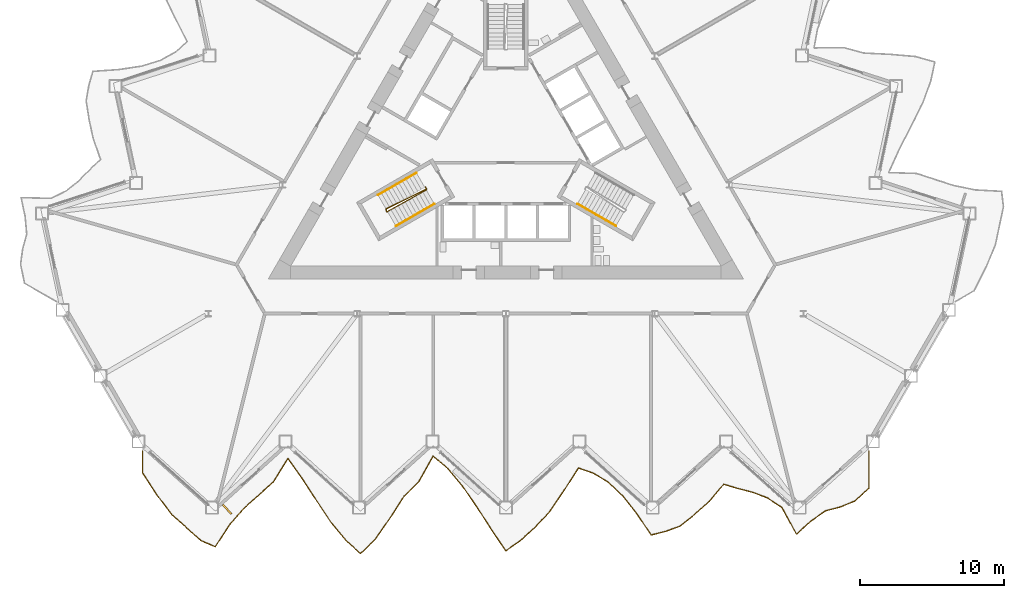
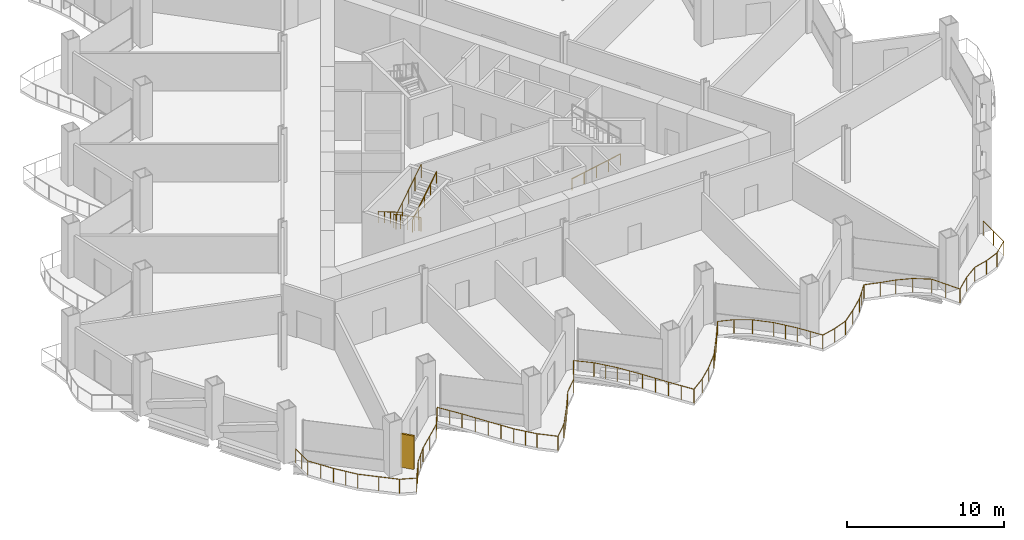
# One storey, part 17 of 21: 5 railings, 1 shading device.
"""IFC4 building model written with IfcOpenShell, lengths in metres."""

from ifc_helpers import new_model, si_unit, direction, frame, origin, origin_2d, place, context, subcontext, project, spatial, rectangle, circle, extrude, material, layer, layer_set, type_object, element, save


model = new_model("IFC4")

# Units and contexts
model_context = context("Model", 3, precision=1e-05, world=origin(), true_north=direction((0.0, 1.0)))
body_context = subcontext(model_context, "Body", "Model", "MODEL_VIEW")
ifc_project = project(units=[si_unit("LENGTHUNIT", "METRE"), si_unit("AREAUNIT", "SQUARE_METRE"), si_unit("VOLUMEUNIT", "CUBIC_METRE"), si_unit("PLANEANGLEUNIT", "RADIAN"), si_unit("MASSUNIT", "GRAM", prefix="KILO")], contexts=[model_context])

# Site, building, storey
site_placement = place(None, origin())
site = spatial("IfcSite", under=ifc_project, at=site_placement, CompositionType="ELEMENT")
building_placement = place(site_placement, origin())
building = spatial("IfcBuilding", under=site, at=building_placement, Name="Cormorant Prow Tower", CompositionType="ELEMENT")
storey_placement = place(building_placement, frame((0.0, 0.0, 124.800048828125)))
storey = spatial("IfcBuildingStorey", under=building, at=storey_placement, Name="L26", CompositionType="ELEMENT", Elevation=124.800048828125)

# Railings
ifc_material_1 = material(Name="Aluminium 6063-T6", Category="aluminium")
railing_type_1 = type_object("IfcRailingType", Name="Balcony guard 1100", PredefinedType="GUARDRAIL", material=ifc_material_1)
railing_1_placement = place(storey_placement, frame((-25.217041015625, -21.475830078125, 0.0)))
element("IfcRailing", 1, at=railing_1_placement, inside=storey, type_object=railing_type_1, Name="Balcony guard S", PredefinedType="GUARDRAIL", context=body_context, shape_type="SweptSolid", body=[
    extrude(circle(Radius=0.02392578125, at=origin_2d()), frame((0.0, 0.0, 1.076171875), z_axis=(0.0, -1.0, 0.0), x_axis=(1.0, 0.0, 0.0)), (0.0, 0.0, 1.0), 1.52001953125),
    extrude(circle(Radius=0.02392578125, at=origin_2d()), frame((0.0, -1.52001953125, 1.076171875), z_axis=(0.547099523328, -0.837067566911, 0.0), x_axis=(0.837067566911, 0.547099523328, 0.0)), (0.0, 0.0, 1.0), 1.843994140625),
    extrude(circle(Radius=0.02392578125, at=origin_2d()), frame((1.0087890625, -3.0634765625, 1.076171875), z_axis=(0.606251011859, -0.79527335591, 0.0), x_axis=(0.79527335591, 0.606251011859, 0.0)), (0.0, 0.0, 1.0), 1.66357421875),
    extrude(circle(Radius=0.02392578125, at=origin_2d()), frame((2.017333984375, -4.386474609375, 1.076171875), z_axis=(0.743186816138, -0.669083968063, 0.0), x_axis=(0.669083968063, 0.743186816138, 0.0)), (0.0, 0.0, 1.0), 1.357421875),
    extrude(circle(Radius=0.02392578125, at=origin_2d()), frame((3.026123046875, -5.294677734375, 1.076171875), z_axis=(0.743186816138, -0.669083968063, 0.0), x_axis=(0.669083968063, 0.743186816138, 0.0)), (0.0, 0.0, 1.0), 1.357421875),
    extrude(circle(Radius=0.02392578125, at=origin_2d()), frame((4.034912109375, -6.202880859375, 1.076171875), z_axis=(0.919340604259, -0.393462645444, 0.0), x_axis=(0.393462645444, 0.919340604259, 0.0)), (0.0, 0.0, 1.0), 1.096923828125),
    extrude(circle(Radius=0.02392578125, at=origin_2d()), frame((5.04345703125, -6.634521484375, 1.076171875), z_axis=(0.544923452511, 0.838485796483, 0.0), x_axis=(-0.838485796483, 0.544923452511, 0.0)), (0.0, 0.0, 1.0), 1.851318359375),
    extrude(circle(Radius=0.02392578125, at=origin_2d()), frame((6.05224609375, -5.082275390625, 1.076171875), z_axis=(0.663436281366, 0.748232785012, 0.0), x_axis=(-0.748232785012, 0.663436281366, 0.0)), (0.0, 0.0, 1.0), 1.520263671875),
    extrude(circle(Radius=0.02392578125, at=origin_2d()), frame((7.060791015625, -3.94482421875, 1.076171875), z_axis=(0.743186816138, 0.669083968063, 0.0), x_axis=(-0.669083968063, 0.743186816138, 0.0)), (0.0, 0.0, 1.0), 1.357421875),
    extrude(circle(Radius=0.02392578125, at=origin_2d()), frame((8.069580078125, -3.03662109375, 1.076171875), z_axis=(0.743106280888, 0.669173411983, 0.0), x_axis=(-0.669173411983, 0.743106280888, 0.0)), (0.0, 0.0, 1.0), 1.357177734375),
    extrude(circle(Radius=0.02392578125, at=origin_2d()), frame((9.078125, -2.12841796875, 1.076171875), z_axis=(0.526912034983, 0.849919824095, 0.0), x_axis=(-0.849919824095, 0.526912034983, 0.0)), (0.0, 0.0, 1.0), 1.91455078125),
    extrude(circle(Radius=0.02392578125, at=origin_2d()), frame((10.0869140625, -0.501220703125, 1.076171875), z_axis=(0.579803401982, -0.81475641455, 0.0), x_axis=(0.81475641455, 0.579803401982, 0.0)), (0.0, 0.0, 1.0), 1.739501953125),
    extrude(circle(Radius=0.02392578125, at=origin_2d()), frame((11.095458984375, -1.91845703125, 1.076171875), z_axis=(0.543240375594, -0.839577211651, 0.0), x_axis=(0.839577211651, 0.543240375594, 0.0)), (0.0, 0.0, 1.0), 1.85693359375),
    extrude(circle(Radius=0.02392578125, at=origin_2d()), frame((12.104248046875, -3.4775390625, 1.076171875), z_axis=(0.553031216413, -0.833160532955, 0.0), x_axis=(0.833160532955, 0.553031216413, 0.0)), (0.0, 0.0, 1.0), 1.82421875),
    extrude(circle(Radius=0.02392578125, at=origin_2d()), frame((13.113037109375, -4.997314453125, 1.076171875), z_axis=(0.64164991368, -0.766997645547, 0.0), x_axis=(0.766997645547, 0.64164991368, 0.0)), (0.0, 0.0, 1.0), 1.57177734375),
    extrude(circle(Radius=0.02392578125, at=origin_2d()), frame((14.12158203125, -6.202880859375, 1.076171875), z_axis=(0.743106280888, -0.669173411983, 0.0), x_axis=(0.669173411983, 0.743106280888, 0.0)), (0.0, 0.0, 1.0), 1.357177734375),
    extrude(circle(Radius=0.02392578125, at=origin_2d()), frame((15.130126953125, -7.111083984375, 1.076171875), z_axis=(0.716667354688, 0.697415158083, 0.0), x_axis=(-0.697415158083, 0.716667354688, 0.0)), (0.0, 0.0, 1.0), 1.40771484375),
    extrude(circle(Radius=0.02392578125, at=origin_2d()), frame((16.138916015625, -6.12939453125, 1.076171875), z_axis=(0.573713918438, 0.8190557611, 0.0), x_axis=(-0.8190557611, 0.573713918438, 0.0)), (0.0, 0.0, 1.0), 1.75830078125),
    extrude(circle(Radius=0.02392578125, at=origin_2d()), frame((17.147705078125, -4.689208984375, 1.076171875), z_axis=(0.542070080475, 0.840333283795, 0.0), x_axis=(-0.840333283795, 0.542070080475, 0.0)), (0.0, 0.0, 1.0), 1.860595703125),
    extrude(circle(Radius=0.02392578125, at=origin_2d()), frame((18.15625, -3.125732421875, 1.076171875), z_axis=(0.7111396923, 0.703050736459, 0.0), x_axis=(-0.703050736459, 0.7111396923, 0.0)), (0.0, 0.0, 1.0), 1.41845703125),
    extrude(circle(Radius=0.02392578125, at=origin_2d()), frame((19.1650390625, -2.12841796875, 1.076171875), z_axis=(0.491124609661, 0.871089328247, 0.0), x_axis=(-0.871089328247, 0.491124609661, 0.0)), (0.0, 0.0, 1.0), 2.053466796875),
    extrude(circle(Radius=0.02392578125, at=origin_2d()), frame((20.173583984375, -0.339599609375, 1.076171875), z_axis=(0.759866377248, -0.650079294185, 0.0), x_axis=(0.650079294185, 0.759866377248, 0.0)), (0.0, 0.0, 1.0), 1.32763671875),
    extrude(circle(Radius=0.02392578125, at=origin_2d()), frame((21.182373046875, -1.20263671875, 1.076171875), z_axis=(0.642506249311, -0.766280444483, 0.0), x_axis=(0.766280444483, 0.642506249311, 0.0)), (0.0, 0.0, 1.0), 1.570068359375),
    extrude(circle(Radius=0.02392578125, at=origin_2d()), frame((22.191162109375, -2.40576171875, 1.076171875), z_axis=(0.568051035315, -0.822993330032, 0.0), x_axis=(0.822993330032, 0.568051035315, 0.0)), (0.0, 0.0, 1.0), 1.775390625),
    extrude(circle(Radius=0.02392578125, at=origin_2d()), frame((23.19970703125, -3.866943359375, 1.076171875), z_axis=(0.54141320539, -0.840756647925, 0.0), x_axis=(0.840756647925, 0.54141320539, 0.0)), (0.0, 0.0, 1.0), 1.86279296875),
    extrude(circle(Radius=0.02392578125, at=origin_2d()), frame((24.208251953125, -5.43310546875, 1.076171875), z_axis=(0.561076309813, -0.827764081467, 0.0), x_axis=(0.827764081467, 0.561076309813, 0.0)), (0.0, 0.0, 1.0), 1.7978515625),
    extrude(circle(Radius=0.02392578125, at=origin_2d()), frame((25.217041015625, -6.92138671875, 1.076171875), z_axis=(0.814518561771, 0.580137494505, 0.0), x_axis=(-0.580137494505, 0.814518561771, 0.0)), (0.0, 0.0, 1.0), 1.238525390625),
    extrude(circle(Radius=0.02392578125, at=origin_2d()), frame((26.225830078125, -6.202880859375, 1.076171875), z_axis=(0.743106280888, 0.669173411983, 0.0), x_axis=(-0.669173411983, 0.743106280888, 0.0)), (0.0, 0.0, 1.0), 1.357177734375),
    extrude(circle(Radius=0.02392578125, at=origin_2d()), frame((27.234375, -5.294677734375, 1.076171875), z_axis=(0.683891565229, 0.729583666901, 0.0), x_axis=(-0.729583666901, 0.683891565229, 0.0)), (0.0, 0.0, 1.0), 1.474609375),
    extrude(circle(Radius=0.02392578125, at=origin_2d()), frame((28.242919921875, -4.21875, 1.076171875), z_axis=(0.563099997149, 0.826388766387, 0.0), x_axis=(-0.826388766387, 0.563099997149, 0.0)), (0.0, 0.0, 1.0), 1.79150390625),
    extrude(circle(Radius=0.02392578125, at=origin_2d()), frame((29.251708984375, -2.73828125, 1.076171875), z_axis=(0.54138653911, 0.84077381933, 0.0), x_axis=(-0.84077381933, 0.54138653911, 0.0)), (0.0, 0.0, 1.0), 1.86328125),
    extrude(circle(Radius=0.02392578125, at=origin_2d()), frame((30.260498046875, -1.171630859375, 1.076171875), z_axis=(0.945688798562, -0.325073370602, 0.0), x_axis=(0.325073370602, 0.945688798562, 0.0)), (0.0, 0.0, 1.0), 1.06640625),
    extrude(circle(Radius=0.02392578125, at=origin_2d()), frame((31.26904296875, -1.518310546875, 1.076171875), z_axis=(0.859889000311, -0.510481054638, 0.0), x_axis=(0.510481054638, 0.859889000311, 0.0)), (0.0, 0.0, 1.0), 1.173095703125),
    extrude(circle(Radius=0.02392578125, at=origin_2d()), frame((32.27783203125, -2.1171875, 1.076171875), z_axis=(0.732433442303, -0.680838639177, 0.0), x_axis=(0.680838639177, 0.732433442303, 0.0)), (0.0, 0.0, 1.0), 1.376953125),
    extrude(circle(Radius=0.02392578125, at=origin_2d()), frame((33.286376953125, -3.0546875, 1.076171875), z_axis=(0.622708149945, -0.782454190347, 0.0), x_axis=(0.782454190347, 0.622708149945, 0.0)), (0.0, 0.0, 1.0), 1.6201171875),
    extrude(circle(Radius=0.02392578125, at=origin_2d()), frame((34.295166015625, -4.322265625, 1.076171875), z_axis=(0.558625055194, -0.829420308233, 0.0), x_axis=(0.829420308233, 0.558625055194, 0.0)), (0.0, 0.0, 1.0), 1.805908203125),
    extrude(circle(Radius=0.02392578125, at=origin_2d()), frame((35.303955078125, -5.820068359375, 1.076171875), z_axis=(0.970294291632, 0.241927649572, 0.0), x_axis=(-0.241927649572, 0.970294291632, 0.0)), (0.0, 0.0, 1.0), 1.039306640625),
    extrude(circle(Radius=0.02392578125, at=origin_2d()), frame((36.3125, -5.568603515625, 1.076171875), z_axis=(0.93973363247, 0.341907443622, 0.0), x_axis=(-0.341907443622, 0.93973363247, 0.0)), (0.0, 0.0, 1.0), 1.0732421875),
    extrude(circle(Radius=0.02392578125, at=origin_2d()), frame((37.321044921875, -5.20166015625, 1.076171875), z_axis=(0.777792524199, 0.628521112851, 0.0), x_axis=(-0.628521112851, 0.777792524199, 0.0)), (0.0, 0.0, 1.0), 1.296875),
    extrude(circle(Radius=0.02392578125, at=origin_2d()), frame((38.329833984375, -4.386474609375, 1.076171875), z_axis=(0.743186816138, 0.669083968063, 0.0), x_axis=(-0.669083968063, 0.743186816138, 0.0)), (0.0, 0.0, 1.0), 1.357421875),
    extrude(circle(Radius=0.02392578125, at=origin_2d()), frame((39.338623046875, -3.478271484375, 1.076171875), z_axis=(0.649275684785, 0.760553144196, 0.0), x_axis=(-0.760553144196, 0.649275684785, 0.0)), (0.0, 0.0, 1.0), 1.55322265625),
    extrude(circle(Radius=0.02392578125, at=origin_2d()), frame((40.34716796875, -2.296875, 1.076171875), z_axis=(0.957736927182, -0.287645577598, 0.0), x_axis=(0.287645577598, 0.957736927182, 0.0)), (0.0, 0.0, 1.0), 1.05322265625),
    extrude(circle(Radius=0.02392578125, at=origin_2d()), frame((41.35595703125, -2.599853515625, 1.076171875), z_axis=(0.969462296979, -0.245240401923, 0.0), x_axis=(0.245240401923, 0.969462296979, 0.0)), (0.0, 0.0, 1.0), 1.040283203125),
    extrude(circle(Radius=0.02392578125, at=origin_2d()), frame((42.364501953125, -2.85498046875, 1.076171875), z_axis=(0.93306013523, -0.359720424836, 0.0), x_axis=(0.359720424836, 0.93306013523, 0.0)), (0.0, 0.0, 1.0), 1.0810546875),
    extrude(circle(Radius=0.02392578125, at=origin_2d()), frame((43.373291015625, -3.243896484375, 1.076171875), z_axis=(0.834280579949, -0.551340107301, 0.0), x_axis=(0.551340107301, 0.834280579949, 0.0)), (0.0, 0.0, 1.0), 1.208984375),
    extrude(circle(Radius=0.02392578125, at=origin_2d()), frame((44.3818359375, -3.910400390625, 1.076171875), z_axis=(0.478576200022, -0.87804602429, 0.0), x_axis=(0.87804602429, 0.478576200022, 0.0)), (0.0, 0.0, 1.0), 2.10791015625),
    extrude(circle(Radius=0.02392578125, at=origin_2d()), frame((45.390625, -5.76123046875, 1.076171875), z_axis=(0.743106280888, 0.669173411983, 0.0), x_axis=(-0.669173411983, 0.743106280888, 0.0)), (0.0, 0.0, 1.0), 1.357177734375),
    extrude(circle(Radius=0.02392578125, at=origin_2d()), frame((46.399169921875, -4.85302734375, 1.076171875), z_axis=(0.817965118336, 0.575267820398, 0.0), x_axis=(-0.575267820398, 0.817965118336, 0.0)), (0.0, 0.0, 1.0), 1.2333984375),
    extrude(circle(Radius=0.02392578125, at=origin_2d()), frame((47.407958984375, -4.1435546875, 1.076171875), z_axis=(0.968125364751, 0.250466121713, 0.0), x_axis=(-0.250466121713, 0.968125364751, 0.0)), (0.0, 0.0, 1.0), 1.0419921875),
    extrude(circle(Radius=0.02392578125, at=origin_2d()), frame((48.416748046875, -3.882568359375, 1.076171875), z_axis=(0.925543387254, 0.378641569707, 0.0), x_axis=(-0.378641569707, 0.925543387254, 0.0)), (0.0, 0.0, 1.0), 1.089599609375),
    extrude(circle(Radius=0.02392578125, at=origin_2d()), frame((49.42529296875, -3.469970703125, 1.076171875), z_axis=(0.746232390688, 0.665685525672, 0.0), x_axis=(-0.665685525672, 0.746232390688, 0.0)), (0.0, 0.0, 1.0), 1.351806640625),
    extrude(circle(Radius=0.02392578125, at=origin_2d()), frame((50.43408203125, -2.570068359375, 1.076171875), z_axis=(0.0, 1.0, 0.0), x_axis=(-1.0, 0.0, 0.0)), (0.0, 0.0, 1.0), 2.570068359375),
    extrude(circle(Radius=0.02099609375, at=origin_2d()), origin(), (0.0, 0.0, 1.0), 1.052001953125),
    extrude(circle(Radius=0.02099609375, at=origin_2d()), frame((0.0, -0.760009765625, 0.0)), (0.0, 0.0, 1.0), 1.052001953125),
    extrude(circle(Radius=0.02099609375, at=origin_2d()), frame((0.0, -1.52001953125, 0.0)), (0.0, 0.0, 1.0), 1.052001953125),
    extrude(circle(Radius=0.02099609375, at=origin_2d()), frame((0.50439453125, -2.291748046875, 0.0)), (0.0, 0.0, 1.0), 1.052001953125),
    extrude(circle(Radius=0.02099609375, at=origin_2d()), frame((1.0087890625, -3.0634765625, 0.0)), (0.0, 0.0, 1.0), 1.052001953125),
    extrude(circle(Radius=0.02099609375, at=origin_2d()), frame((1.51318359375, -3.72509765625, 0.0)), (0.0, 0.0, 1.0), 1.052001953125),
    extrude(circle(Radius=0.02099609375, at=origin_2d()), frame((2.017333984375, -4.386474609375, 0.0)), (0.0, 0.0, 1.0), 1.052001953125),
    extrude(circle(Radius=0.02099609375, at=origin_2d()), frame((3.026123046875, -5.294677734375, 0.0)), (0.0, 0.0, 1.0), 1.052001953125),
    extrude(circle(Radius=0.02099609375, at=origin_2d()), frame((4.034912109375, -6.202880859375, 0.0)), (0.0, 0.0, 1.0), 1.052001953125),
    extrude(circle(Radius=0.02099609375, at=origin_2d()), frame((5.04345703125, -6.634521484375, 0.0)), (0.0, 0.0, 1.0), 1.052001953125),
    extrude(circle(Radius=0.02099609375, at=origin_2d()), frame((5.5478515625, -5.8583984375, 0.0)), (0.0, 0.0, 1.0), 1.052001953125),
    extrude(circle(Radius=0.02099609375, at=origin_2d()), frame((6.05224609375, -5.082275390625, 0.0)), (0.0, 0.0, 1.0), 1.052001953125),
    extrude(circle(Radius=0.02099609375, at=origin_2d()), frame((6.556640625, -4.513671875, 0.0)), (0.0, 0.0, 1.0), 1.052001953125),
    extrude(circle(Radius=0.02099609375, at=origin_2d()), frame((7.060791015625, -3.94482421875, 0.0)), (0.0, 0.0, 1.0), 1.052001953125),
    extrude(circle(Radius=0.02099609375, at=origin_2d()), frame((8.069580078125, -3.03662109375, 0.0)), (0.0, 0.0, 1.0), 1.052001953125),
    extrude(circle(Radius=0.02099609375, at=origin_2d()), frame((9.078125, -2.12841796875, 0.0)), (0.0, 0.0, 1.0), 1.052001953125),
    extrude(circle(Radius=0.02099609375, at=origin_2d()), frame((9.58251953125, -1.31494140625, 0.0)), (0.0, 0.0, 1.0), 1.052001953125),
    extrude(circle(Radius=0.02099609375, at=origin_2d()), frame((10.0869140625, -0.501220703125, 0.0)), (0.0, 0.0, 1.0), 1.052001953125),
    extrude(circle(Radius=0.02099609375, at=origin_2d()), frame((10.59130859375, -1.2099609375, 0.0)), (0.0, 0.0, 1.0), 1.052001953125),
    extrude(circle(Radius=0.02099609375, at=origin_2d()), frame((11.095458984375, -1.91845703125, 0.0)), (0.0, 0.0, 1.0), 1.052001953125),
    extrude(circle(Radius=0.02099609375, at=origin_2d()), frame((11.599853515625, -2.697998046875, 0.0)), (0.0, 0.0, 1.0), 1.052001953125),
    extrude(circle(Radius=0.02099609375, at=origin_2d()), frame((12.104248046875, -3.4775390625, 0.0)), (0.0, 0.0, 1.0), 1.052001953125),
    extrude(circle(Radius=0.02099609375, at=origin_2d()), frame((12.608642578125, -4.2373046875, 0.0)), (0.0, 0.0, 1.0), 1.052001953125),
    extrude(circle(Radius=0.02099609375, at=origin_2d()), frame((13.113037109375, -4.997314453125, 0.0)), (0.0, 0.0, 1.0), 1.052001953125),
    extrude(circle(Radius=0.02099609375, at=origin_2d()), frame((13.6171875, -5.60009765625, 0.0)), (0.0, 0.0, 1.0), 1.052001953125),
    extrude(circle(Radius=0.02099609375, at=origin_2d()), frame((14.12158203125, -6.202880859375, 0.0)), (0.0, 0.0, 1.0), 1.052001953125),
    extrude(circle(Radius=0.02099609375, at=origin_2d()), frame((15.130126953125, -7.111083984375, 0.0)), (0.0, 0.0, 1.0), 1.052001953125),
    extrude(circle(Radius=0.02099609375, at=origin_2d()), frame((16.138916015625, -6.12939453125, 0.0)), (0.0, 0.0, 1.0), 1.052001953125),
    extrude(circle(Radius=0.02099609375, at=origin_2d()), frame((16.643310546875, -5.4091796875, 0.0)), (0.0, 0.0, 1.0), 1.052001953125),
    extrude(circle(Radius=0.02099609375, at=origin_2d()), frame((17.147705078125, -4.689208984375, 0.0)), (0.0, 0.0, 1.0), 1.052001953125),
    extrude(circle(Radius=0.02099609375, at=origin_2d()), frame((17.65185546875, -3.907470703125, 0.0)), (0.0, 0.0, 1.0), 1.052001953125),
    extrude(circle(Radius=0.02099609375, at=origin_2d()), frame((18.15625, -3.125732421875, 0.0)), (0.0, 0.0, 1.0), 1.052001953125),
    extrude(circle(Radius=0.02099609375, at=origin_2d()), frame((19.1650390625, -2.12841796875, 0.0)), (0.0, 0.0, 1.0), 1.052001953125),
    extrude(circle(Radius=0.02099609375, at=origin_2d()), frame((19.66943359375, -1.23388671875, 0.0)), (0.0, 0.0, 1.0), 1.052001953125),
    extrude(circle(Radius=0.02099609375, at=origin_2d()), frame((20.173583984375, -0.339599609375, 0.0)), (0.0, 0.0, 1.0), 1.052001953125),
    extrude(circle(Radius=0.02099609375, at=origin_2d()), frame((21.182373046875, -1.20263671875, 0.0)), (0.0, 0.0, 1.0), 1.052001953125),
    extrude(circle(Radius=0.02099609375, at=origin_2d()), frame((21.686767578125, -1.80419921875, 0.0)), (0.0, 0.0, 1.0), 1.052001953125),
    extrude(circle(Radius=0.02099609375, at=origin_2d()), frame((22.191162109375, -2.40576171875, 0.0)), (0.0, 0.0, 1.0), 1.052001953125),
    extrude(circle(Radius=0.02099609375, at=origin_2d()), frame((22.6953125, -3.13623046875, 0.0)), (0.0, 0.0, 1.0), 1.052001953125),
    extrude(circle(Radius=0.02099609375, at=origin_2d()), frame((23.19970703125, -3.866943359375, 0.0)), (0.0, 0.0, 1.0), 1.052001953125),
    extrude(circle(Radius=0.02099609375, at=origin_2d()), frame((23.7041015625, -4.64990234375, 0.0)), (0.0, 0.0, 1.0), 1.052001953125),
    extrude(circle(Radius=0.02099609375, at=origin_2d()), frame((24.208251953125, -5.43310546875, 0.0)), (0.0, 0.0, 1.0), 1.052001953125),
    extrude(circle(Radius=0.02099609375, at=origin_2d()), frame((24.712646484375, -6.17724609375, 0.0)), (0.0, 0.0, 1.0), 1.052001953125),
    extrude(circle(Radius=0.02099609375, at=origin_2d()), frame((25.217041015625, -6.92138671875, 0.0)), (0.0, 0.0, 1.0), 1.052001953125),
    extrude(circle(Radius=0.02099609375, at=origin_2d()), frame((26.225830078125, -6.202880859375, 0.0)), (0.0, 0.0, 1.0), 1.052001953125),
    extrude(circle(Radius=0.02099609375, at=origin_2d()), frame((27.234375, -5.294677734375, 0.0)), (0.0, 0.0, 1.0), 1.052001953125),
    extrude(circle(Radius=0.02099609375, at=origin_2d()), frame((28.242919921875, -4.21875, 0.0)), (0.0, 0.0, 1.0), 1.052001953125),
    extrude(circle(Radius=0.02099609375, at=origin_2d()), frame((28.747314453125, -3.478515625, 0.0)), (0.0, 0.0, 1.0), 1.052001953125),
    extrude(circle(Radius=0.02099609375, at=origin_2d()), frame((29.251708984375, -2.73828125, 0.0)), (0.0, 0.0, 1.0), 1.052001953125),
    extrude(circle(Radius=0.02099609375, at=origin_2d()), frame((29.756103515625, -1.955078125, 0.0)), (0.0, 0.0, 1.0), 1.052001953125),
    extrude(circle(Radius=0.02099609375, at=origin_2d()), frame((30.260498046875, -1.171630859375, 0.0)), (0.0, 0.0, 1.0), 1.052001953125),
    extrude(circle(Radius=0.02099609375, at=origin_2d()), frame((31.26904296875, -1.518310546875, 0.0)), (0.0, 0.0, 1.0), 1.052001953125),
    extrude(circle(Radius=0.02099609375, at=origin_2d()), frame((32.27783203125, -2.1171875, 0.0)), (0.0, 0.0, 1.0), 1.052001953125),
    extrude(circle(Radius=0.02099609375, at=origin_2d()), frame((33.286376953125, -3.0546875, 0.0)), (0.0, 0.0, 1.0), 1.052001953125),
    extrude(circle(Radius=0.02099609375, at=origin_2d()), frame((33.790771484375, -3.6884765625, 0.0)), (0.0, 0.0, 1.0), 1.052001953125),
    extrude(circle(Radius=0.02099609375, at=origin_2d()), frame((34.295166015625, -4.322265625, 0.0)), (0.0, 0.0, 1.0), 1.052001953125),
    extrude(circle(Radius=0.02099609375, at=origin_2d()), frame((34.799560546875, -5.0712890625, 0.0)), (0.0, 0.0, 1.0), 1.052001953125),
    extrude(circle(Radius=0.02099609375, at=origin_2d()), frame((35.303955078125, -5.820068359375, 0.0)), (0.0, 0.0, 1.0), 1.052001953125),
    extrude(circle(Radius=0.02099609375, at=origin_2d()), frame((36.3125, -5.568603515625, 0.0)), (0.0, 0.0, 1.0), 1.052001953125),
    extrude(circle(Radius=0.02099609375, at=origin_2d()), frame((37.321044921875, -5.20166015625, 0.0)), (0.0, 0.0, 1.0), 1.052001953125),
    extrude(circle(Radius=0.02099609375, at=origin_2d()), frame((38.329833984375, -4.386474609375, 0.0)), (0.0, 0.0, 1.0), 1.052001953125),
    extrude(circle(Radius=0.02099609375, at=origin_2d()), frame((39.338623046875, -3.478271484375, 0.0)), (0.0, 0.0, 1.0), 1.052001953125),
    extrude(circle(Radius=0.02099609375, at=origin_2d()), frame((39.8427734375, -2.8876953125, 0.0)), (0.0, 0.0, 1.0), 1.052001953125),
    extrude(circle(Radius=0.02099609375, at=origin_2d()), frame((40.34716796875, -2.296875, 0.0)), (0.0, 0.0, 1.0), 1.052001953125),
    extrude(circle(Radius=0.02099609375, at=origin_2d()), frame((41.35595703125, -2.599853515625, 0.0)), (0.0, 0.0, 1.0), 1.052001953125),
    extrude(circle(Radius=0.02099609375, at=origin_2d()), frame((42.364501953125, -2.85498046875, 0.0)), (0.0, 0.0, 1.0), 1.052001953125),
    extrude(circle(Radius=0.02099609375, at=origin_2d()), frame((43.373291015625, -3.243896484375, 0.0)), (0.0, 0.0, 1.0), 1.052001953125),
    extrude(circle(Radius=0.02099609375, at=origin_2d()), frame((44.3818359375, -3.910400390625, 0.0)), (0.0, 0.0, 1.0), 1.052001953125),
    extrude(circle(Radius=0.02099609375, at=origin_2d()), frame((44.88623046875, -4.8359375, 0.0)), (0.0, 0.0, 1.0), 1.052001953125),
    extrude(circle(Radius=0.02099609375, at=origin_2d()), frame((45.390625, -5.76123046875, 0.0)), (0.0, 0.0, 1.0), 1.052001953125),
    extrude(circle(Radius=0.02099609375, at=origin_2d()), frame((46.399169921875, -4.85302734375, 0.0)), (0.0, 0.0, 1.0), 1.052001953125),
    extrude(circle(Radius=0.02099609375, at=origin_2d()), frame((47.407958984375, -4.1435546875, 0.0)), (0.0, 0.0, 1.0), 1.052001953125),
    extrude(circle(Radius=0.02099609375, at=origin_2d()), frame((48.416748046875, -3.882568359375, 0.0)), (0.0, 0.0, 1.0), 1.052001953125),
    extrude(circle(Radius=0.02099609375, at=origin_2d()), frame((49.42529296875, -3.469970703125, 0.0)), (0.0, 0.0, 1.0), 1.052001953125),
    extrude(circle(Radius=0.02099609375, at=origin_2d()), frame((50.43408203125, -2.570068359375, 0.0)), (0.0, 0.0, 1.0), 1.052001953125),
    extrude(circle(Radius=0.02099609375, at=origin_2d()), frame((50.43408203125, -1.28515625, 0.0)), (0.0, 0.0, 1.0), 1.052001953125),
    extrude(circle(Radius=0.02099609375, at=origin_2d()), frame((50.43408203125, 0.0, 0.0)), (0.0, 0.0, 1.0), 1.052001953125),
])
ifc_material_2 = material(Name="Stainless steel", Category="steel")
railing_type_2 = type_object("IfcRailingType", Name="Stair guard 1100", PredefinedType="GUARDRAIL", material=ifc_material_2)
railing_2_placement = place(storey_placement, frame((-5.585205078125, -3.137939453125, 0.0)))
element("IfcRailing", 2, at=railing_2_placement, inside=storey, type_object=railing_type_2, Name="L26 ST1 stair guard 1", PredefinedType="GUARDRAIL", context=body_context, shape_type="SweptSolid", body=[
    extrude(circle(Radius=0.02392578125, at=origin_2d()), frame((0.0, 0.0, 1.076171875), z_axis=(0.501036270542, -0.865426285481, 0.0), x_axis=(0.865426285481, 0.501036270542, 0.0)), (0.0, 0.0, 1.0), 0.150146484375),
    extrude(circle(Radius=0.02392578125, at=origin_2d()), frame((0.0751953125, -0.1298828125, 1.076171875), z_axis=(-0.744670798681, -0.368745611333, 0.556320119817), x_axis=(0.443754251299, -0.896148516963, 0.0)), (0.0, 0.0, 1.0), 3.774658203125),
    extrude(circle(Radius=0.02392578125, at=origin_2d()), frame((-2.735595703125, -1.521728515625, 3.17578125), z_axis=(0.274721127897, -0.961523947641, 0.0), x_axis=(0.961523947641, 0.274721127897, 0.0)), (0.0, 0.0, 1.0), 0.2060546875),
    extrude(circle(Radius=0.02392578125, at=origin_2d()), frame((-2.678955078125, -1.719970703125, 3.17578125), z_axis=(0.725738344322, 0.403670096391, 0.557094524171), x_axis=(-0.486086505765, 0.873910698477, 0.0)), (0.0, 0.0, 1.0), 3.769775390625),
    extrude(circle(Radius=0.02099609375, at=origin_2d()), origin(), (0.0, 0.0, 1.0), 1.052001953125),
    extrude(circle(Radius=0.02099609375, at=origin_2d()), frame((0.0751953125, -0.1298828125, 0.0)), (0.0, 0.0, 1.0), 1.052001953125),
    extrude(circle(Radius=0.02099609375, at=origin_2d()), frame((-0.62744140625, -0.477783203125, 0.52490234375)), (0.0, 0.0, 1.0), 1.052001953125),
    extrude(circle(Radius=0.02099609375, at=origin_2d()), frame((-1.330078125, -0.82568359375, 1.0498046875)), (0.0, 0.0, 1.0), 1.052001953125),
    extrude(circle(Radius=0.02099609375, at=origin_2d()), frame((-2.032958984375, -1.173828125, 1.574951171875)), (0.0, 0.0, 1.0), 1.052001953125),
    extrude(circle(Radius=0.02099609375, at=origin_2d()), frame((-2.735595703125, -1.521728515625, 2.099853515625)), (0.0, 0.0, 1.0), 1.052001953125),
    extrude(circle(Radius=0.02099609375, at=origin_2d()), frame((-2.678955078125, -1.719970703125, 2.099853515625)), (0.0, 0.0, 1.0), 1.052001953125),
    extrude(circle(Radius=0.02099609375, at=origin_2d()), frame((-1.9951171875, -1.339599609375, 2.625)), (0.0, 0.0, 1.0), 1.052001953125),
    extrude(circle(Radius=0.02099609375, at=origin_2d()), frame((-1.31103515625, -0.958984375, 3.14990234375)), (0.0, 0.0, 1.0), 1.052001953125),
    extrude(circle(Radius=0.02099609375, at=origin_2d()), frame((-0.626953125, -0.57861328125, 3.6748046875)), (0.0, 0.0, 1.0), 1.052001953125),
    extrude(circle(Radius=0.02099609375, at=origin_2d()), frame((0.056884765625, -0.1982421875, 4.199951171875)), (0.0, 0.0, 1.0), 1.052001953125),
])
ifc_material_3 = material(Name="Stainless steel", Category="steel")
railing_type_3 = type_object("IfcRailingType", Name="Stair handrail 900", PredefinedType="HANDRAIL", material=ifc_material_3)
railing_3_placement = place(storey_placement, frame((-6.212890625, -2.150634765625, 0.175048828125)))
element("IfcRailing", 3, at=railing_3_placement, inside=storey, type_object=railing_type_3, Name="L26 ST1 stair handrail 1", PredefinedType="HANDRAIL", context=body_context, shape_type="SweptSolid", body=[
    extrude(circle(Radius=0.02392578125, at=origin_2d()), frame((0.0, 0.0, 0.8759765625), z_axis=(-0.734421155904, -0.424009578203, 0.529944755001), x_axis=(0.499992328818, -0.866029832698, 0.0)), (0.0, 0.0, 1.0), 3.632080078125),
    extrude(circle(Radius=0.02099609375, at=origin_2d()), origin(), (0.0, 0.0, 1.0), 0.851806640625),
    extrude(circle(Radius=0.02099609375, at=origin_2d()), frame((-0.6669921875, -0.385009765625, 0.481201171875)), (0.0, 0.0, 1.0), 0.851806640625),
    extrude(circle(Radius=0.02099609375, at=origin_2d()), frame((-1.333740234375, -0.77001953125, 0.96240234375)), (0.0, 0.0, 1.0), 0.851806640625),
    extrude(circle(Radius=0.02099609375, at=origin_2d()), frame((-2.00048828125, -1.155029296875, 1.443603515625)), (0.0, 0.0, 1.0), 0.851806640625),
    extrude(circle(Radius=0.02099609375, at=origin_2d()), frame((-2.66748046875, -1.5400390625, 1.9248046875)), (0.0, 0.0, 1.0), 0.851806640625),
])
railing_4_placement = place(storey_placement, frame((-7.63623046875, -5.84521484375, 2.27490234375)))
element("IfcRailing", 4, at=railing_4_placement, inside=storey, type_object=railing_type_3, Name="L26 ST1 stair handrail 2", PredefinedType="HANDRAIL", context=body_context, shape_type="SweptSolid", body=[
    extrude(circle(Radius=0.02392578125, at=origin_2d()), frame((0.0, 0.0, 0.8759765625), z_axis=(0.734364028329, 0.424015404183, 0.530019255228), x_axis=(-0.500026652407, 0.866010015463, 0.0)), (0.0, 0.0, 1.0), 3.632080078125),
    extrude(circle(Radius=0.02099609375, at=origin_2d()), origin(), (0.0, 0.0, 1.0), 0.851806640625),
    extrude(circle(Radius=0.02099609375, at=origin_2d()), frame((0.666748046875, 0.385009765625, 0.481201171875)), (0.0, 0.0, 1.0), 0.851806640625),
    extrude(circle(Radius=0.02099609375, at=origin_2d()), frame((1.33349609375, 0.77001953125, 0.96240234375)), (0.0, 0.0, 1.0), 0.851806640625),
    extrude(circle(Radius=0.02099609375, at=origin_2d()), frame((2.00048828125, 1.155029296875, 1.44384765625)), (0.0, 0.0, 1.0), 0.851806640625),
    extrude(circle(Radius=0.02099609375, at=origin_2d()), frame((2.667236328125, 1.5400390625, 1.925048828125)), (0.0, 0.0, 1.0), 0.851806640625),
])
railing_5_placement = place(storey_placement, frame((4.968994140625, -4.30517578125, 0.175048828125)))
element("IfcRailing", 5, at=railing_5_placement, inside=storey, type_object=railing_type_3, Name="L26 ST2 stair handrail 1", PredefinedType="HANDRAIL", context=body_context, shape_type="SweptSolid", body=[
    extrude(circle(Radius=0.02392578125, at=origin_2d()), frame((0.0, 0.0, 0.8759765625), z_axis=(0.734390191396, -0.42403051051, 0.529970917068), x_axis=(0.500026652407, 0.866010015463, 0.0)), (0.0, 0.0, 1.0), 3.6318359375),
    extrude(circle(Radius=0.02099609375, at=origin_2d()), origin(), (0.0, 0.0, 1.0), 0.851806640625),
    extrude(circle(Radius=0.02099609375, at=origin_2d()), frame((0.666748046875, -0.385009765625, 0.481201171875)), (0.0, 0.0, 1.0), 0.851806640625),
    extrude(circle(Radius=0.02099609375, at=origin_2d()), frame((1.33349609375, -0.77001953125, 0.96240234375)), (0.0, 0.0, 1.0), 0.851806640625),
    extrude(circle(Radius=0.02099609375, at=origin_2d()), frame((2.00048828125, -1.155029296875, 1.443603515625)), (0.0, 0.0, 1.0), 0.851806640625),
    extrude(circle(Radius=0.02099609375, at=origin_2d()), frame((2.667236328125, -1.5400390625, 1.9248046875)), (0.0, 0.0, 1.0), 0.851806640625),
])

# Shading device
ifc_material_4 = material(Name="Terracotta", Category="masonry")
ifc_layer = layer(ifc_material_4, 0.1201171875)
ifc_layer_set = layer_set([ifc_layer], Name="Terracotta")
shading_device_type = type_object("IfcShadingDeviceType", Name="Terracotta baguette fin 120x900x2600", PredefinedType="USERDEFINED", material=ifc_layer_set)
shading_device_placement = place(storey_placement, frame((-19.355224609375, -25.505615234375, 0.0), z_axis=(0.0, 0.0, 1.0), x_axis=(0.743144807376, 0.669130626463, 0.0)))
element("IfcShadingDevice", 6, at=shading_device_placement, inside=storey, type_object=shading_device_type, Name="Baguette fin S01", ObjectType="BAGUETTE", PredefinedType="USERDEFINED", context=body_context, shape_type="SweptSolid", body=[
    extrude(rectangle(XDim=0.1201171875, YDim=0.89990234375, at=origin_2d()), origin(), (0.0, 0.0, 1.0), 2.60009765625),
])

save(model, "model.ifc")
